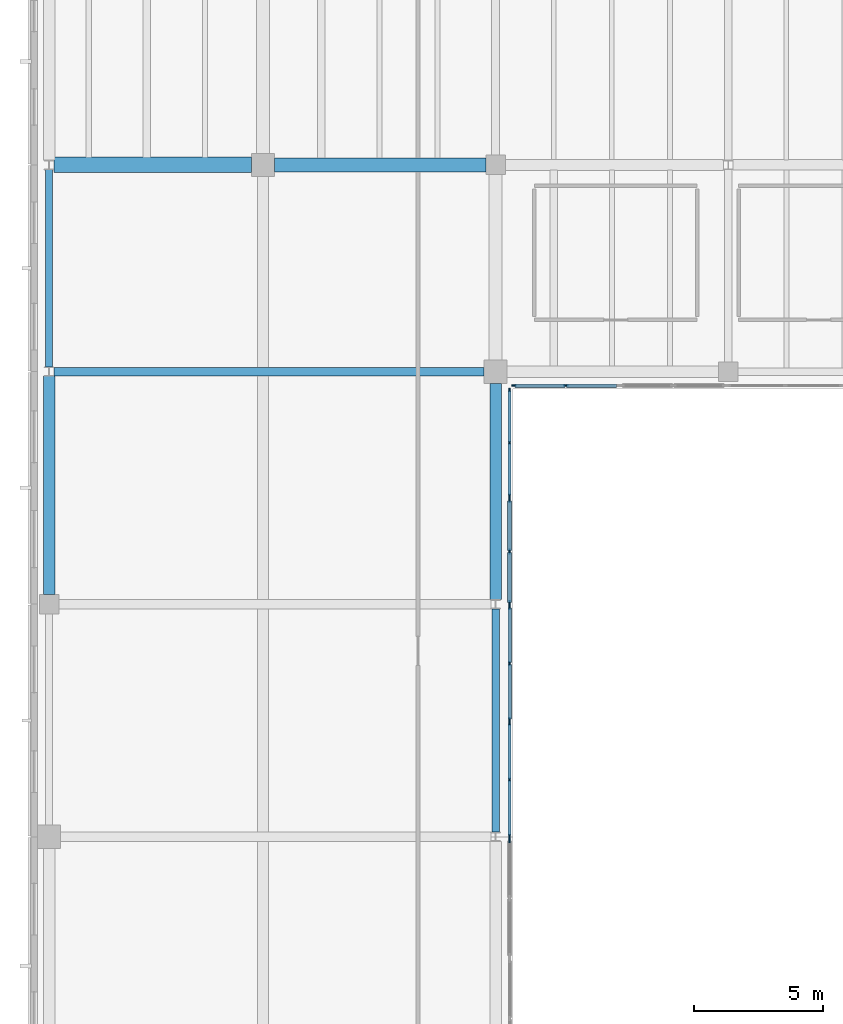
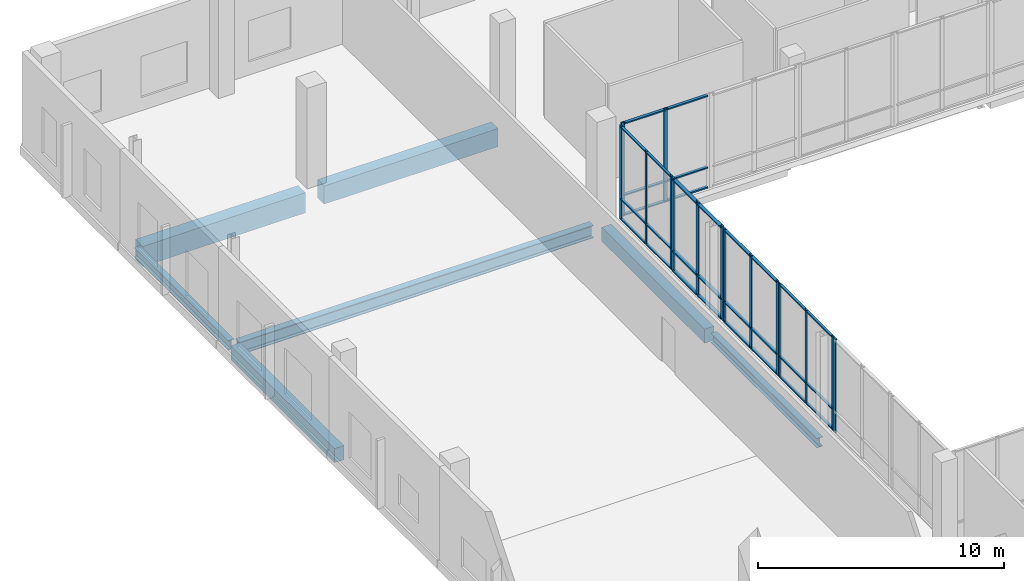
# One storey, part 33 of 81: 45 members, 7 beams, 6 elements without a shape of their own.
"""IFC4 building model written with IfcOpenShell, lengths in metres."""

from ifc_helpers import new_model, si_unit, direction, frame, origin, origin_2d, place, context, subcontext, project, spatial, rectangle, i_section, extrude, material, material_profile, profile_set, type_object, element, aggregate, save


model = new_model("IFC4")

# Units and contexts
model_context = context("Model", 3, precision=1e-05, world=origin(), true_north=direction((0.0, 1.0)))
body_context = subcontext(model_context, "Body", "Model", "MODEL_VIEW")
ifc_project = project(units=[si_unit("LENGTHUNIT", "METRE"), si_unit("AREAUNIT", "SQUARE_METRE"), si_unit("VOLUMEUNIT", "CUBIC_METRE"), si_unit("PLANEANGLEUNIT", "RADIAN"), si_unit("MASSUNIT", "GRAM", prefix="KILO")], contexts=[model_context])

# Site, building, storey
site_placement = place(None, origin())
site = spatial("IfcSite", under=ifc_project, at=site_placement, CompositionType="ELEMENT")
building_placement = place(site_placement, origin())
building = spatial("IfcBuilding", under=site, at=building_placement, Name="Trimount Lyric Opera House", CompositionType="ELEMENT")
storey_placement = place(building_placement, frame((0.0, 0.0, 5.0)))
storey = spatial("IfcBuildingStorey", under=building, at=storey_placement, Name="L01", CompositionType="ELEMENT", Elevation=5.0)

# Beams
ifc_material_1 = material(Name="Steel ASTM A992 Grade 50", Category="steel")
ifc_material_profile_1 = material_profile(ifc_material_1, i_section(OverallWidth=0.327880859375, OverallDepth=0.626953125, WebThickness=0.0166015625, FlangeThickness=0.027587890625, FilletRadius=0.01611328125, at=origin_2d()), Name="W24X146")
ifc_profile_set_1 = profile_set([ifc_material_profile_1], Name="Steel ASTM A992 Grade 50")
beam_type_1 = type_object("IfcBeamType", Name="B-10", PredefinedType="BEAM", material=ifc_profile_set_1)
beam_1_placement = place(storey_placement, frame((0.904052734375, 102.0, -0.593505859375), z_axis=(1.0, 0.0, 0.0), x_axis=(0.0, 1.0, 0.0)))
element("IfcBeam", 1, at=beam_1_placement, inside=storey, type_object=beam_type_1, Name="L01 girder X-0550", PredefinedType="BEAM", context=body_context, shape_type="SweptSolid", body=[
    extrude(i_section(OverallWidth=0.327880859375, OverallDepth=0.626953125, WebThickness=0.0166015625, FlangeThickness=0.027587890625, FilletRadius=0.01611328125, at=origin_2d()), origin(), (0.0, 0.0, 1.0), 16.64599609375),
])
ifc_material_2 = material(Name="Concrete C40/50", Category="concrete")
ifc_material_profile_2 = material_profile(ifc_material_2, rectangle(XDim=0.60009765625, YDim=1.0, at=origin_2d()), Name="RC600X1000")
ifc_profile_set_2 = profile_set([ifc_material_profile_2], Name="Concrete C40/50")
beam_type_2 = type_object("IfcBeamType", Name="B-13", PredefinedType="BEAM", material=ifc_profile_set_2)
beam_2_placement = place(storey_placement, frame((0.906494140625, 110.0, -0.780029296875), z_axis=(1.0, 0.0, 0.0), x_axis=(0.0, 1.0, 0.0)))
element("IfcBeam", 2, at=beam_2_placement, inside=storey, type_object=beam_type_2, Name="L01 girder X-0563", PredefinedType="BEAM", context=body_context, shape_type="SweptSolid", body=[
    extrude(rectangle(XDim=0.60009765625, YDim=1.0, at=origin_2d()), origin(), (0.0, 0.0, 1.0), 7.6435546875),
])
ifc_material_3 = material(Name="Concrete C40/50", Category="concrete")
ifc_material_profile_3 = material_profile(ifc_material_3, rectangle(XDim=0.550048828125, YDim=0.89990234375, at=origin_2d()), Name="RC550X900")
ifc_profile_set_3 = profile_set([ifc_material_profile_3], Name="Concrete C40/50")
beam_type_3 = type_object("IfcBeamType", Name="B-14", PredefinedType="BEAM", material=ifc_profile_set_3)
beam_3_placement = place(storey_placement, frame((9.449951171875, 110.0, -0.72998046875), z_axis=(1.0, 0.0, 0.0), x_axis=(0.0, 1.0, 0.0)))
element("IfcBeam", 3, at=beam_3_placement, inside=storey, type_object=beam_type_3, Name="L01 girder X-0564", PredefinedType="BEAM", context=body_context, shape_type="SweptSolid", body=[
    extrude(rectangle(XDim=0.550048828125, YDim=0.89990234375, at=origin_2d()), origin(), (0.0, 0.0, 1.0), 8.175048828125),
])

# Curtain wall, members
ifc_material_4 = material(Name="Thermally Broken Aluminium and Low-E Glass", Category="aluminium")
curtain_wall_type = type_object("IfcCurtainWallType", Name="CW-03", PredefinedType="NOTDEFINED", material=ifc_material_4)
curtain_wall_1_placement = place(storey_placement, origin())
curtain_wall_1 = element("IfcCurtainWall", 4, at=curtain_wall_1_placement, inside=storey, type_object=curtain_wall_type, Name="L01 curtain wall 162", PredefinedType="NOTDEFINED")
ifc_material_5 = material(Name="Anodised Aluminium 6063-T6", Category="aluminium")
ifc_material_profile_4 = material_profile(ifc_material_5, rectangle(XDim=0.070068359375, YDim=0.219970703125, at=origin_2d()), Name="ALU-MULL-70X220")
ifc_profile_set_4 = profile_set([ifc_material_profile_4], Name="Anodised Aluminium 6063-T6")
member_type_1 = type_object("IfcMemberType", Name="ML-01", PredefinedType="MULLION", material=ifc_profile_set_4)
member_1_placement = place(storey_placement, frame((18.5400390625, 97.034912109375, 0.0), z_axis=(0.0, 0.0, 1.0), x_axis=(1.0, 0.0, 0.0)))
member_1 = element("IfcMember", 5, at=member_1_placement, type_object=member_type_1, Name="CW-03 mullion 1", PredefinedType="MULLION", context=body_context, shape_type="SweptSolid", body=[
    extrude(rectangle(XDim=0.070068359375, YDim=0.219970703125, at=origin_2d()), origin(), (0.0, 0.0, 1.0), 4.679931640625),
])
member_2_placement = place(storey_placement, frame((18.5400390625, 95.034912109375, 0.0), z_axis=(0.0, 0.0, 1.0), x_axis=(1.0, 0.0, 0.0)))
member_2 = element("IfcMember", 6, at=member_2_placement, type_object=member_type_1, Name="CW-03 mullion 2", PredefinedType="MULLION", context=body_context, shape_type="SweptSolid", body=[
    extrude(rectangle(XDim=0.070068359375, YDim=0.219970703125, at=origin_2d()), origin(), (0.0, 0.0, 1.0), 4.679931640625),
])
member_3_placement = place(storey_placement, frame((18.5400390625, 93.034912109375, 0.0), z_axis=(0.0, 0.0, 1.0), x_axis=(1.0, 0.0, 0.0)))
member_3 = element("IfcMember", 7, at=member_3_placement, type_object=member_type_1, Name="CW-03 mullion 3", PredefinedType="MULLION", context=body_context, shape_type="SweptSolid", body=[
    extrude(rectangle(XDim=0.070068359375, YDim=0.219970703125, at=origin_2d()), origin(), (0.0, 0.0, 1.0), 4.679931640625),
])

# Curtain wall, member
curtain_wall_2_placement = place(storey_placement, origin())
curtain_wall_2 = element("IfcCurtainWall", 8, at=curtain_wall_2_placement, inside=storey, type_object=curtain_wall_type, Name="L01 curtain wall 165", PredefinedType="NOTDEFINED")
member_4_placement = place(storey_placement, frame((18.5400390625, 83.875, 0.0), z_axis=(0.0, 0.0, 1.0), x_axis=(1.0, 0.0, 0.0)))
member_4 = element("IfcMember", 9, at=member_4_placement, type_object=member_type_1, Name="CW-03 mullion 1", PredefinedType="MULLION", context=body_context, shape_type="SweptSolid", body=[
    extrude(rectangle(XDim=0.070068359375, YDim=0.219970703125, at=origin_2d()), origin(), (0.0, 0.0, 1.0), 4.679931640625),
])
aggregate(curtain_wall_2, [member_4])

# Curtain wall, members
curtain_wall_3_placement = place(storey_placement, origin())
curtain_wall_3 = element("IfcCurtainWall", 10, at=curtain_wall_3_placement, inside=storey, type_object=curtain_wall_type, Name="L01 curtain wall 160", PredefinedType="NOTDEFINED")
ifc_material_6 = material(Name="Anodised Aluminium 6063-T6", Category="aluminium")
ifc_material_profile_5 = material_profile(ifc_material_6, rectangle(XDim=0.06494140625, YDim=0.179931640625, at=origin_2d()), Name="ALU-MULL-65X180")
ifc_profile_set_5 = profile_set([ifc_material_profile_5], Name="Anodised Aluminium 6063-T6")
member_type_2 = type_object("IfcMemberType", Name="ML-02", PredefinedType="MULLION", material=ifc_profile_set_5)
member_5_placement = place(storey_placement, frame((20.715087890625, 101.4599609375, 0.0), z_axis=(0.0, 0.0, 1.0), x_axis=(0.0, -1.0, 0.0)))
member_5 = element("IfcMember", 11, at=member_5_placement, type_object=member_type_2, Name="CW-03 mullion 2", PredefinedType="MULLION", context=body_context, shape_type="SweptSolid", body=[
    extrude(rectangle(XDim=0.06494140625, YDim=0.179931640625, at=origin_2d()), origin(), (0.0, 0.0, 1.0), 4.679931640625),
])
member_6_placement = place(storey_placement, frame((18.71240234375, 101.4599609375, 0.0), z_axis=(0.0, 0.0, 1.0), x_axis=(0.0, -1.0, 0.0)))
member_6 = element("IfcMember", 12, at=member_6_placement, type_object=member_type_2, Name="CW-03 mullion 3", PredefinedType="MULLION", context=body_context, shape_type="SweptSolid", body=[
    extrude(rectangle(XDim=0.06494140625, YDim=0.179931640625, at=origin_2d()), origin(), (0.0, 0.0, 1.0), 4.679931640625),
])

curtain_wall_4_placement = place(storey_placement, origin())
curtain_wall_4 = element("IfcCurtainWall", 13, at=curtain_wall_4_placement, inside=storey, type_object=curtain_wall_type, Name="L01 curtain wall 163", PredefinedType="NOTDEFINED")
member_7_placement = place(storey_placement, frame((18.5400390625, 92.87744140625, 0.0), z_axis=(0.0, 0.0, 1.0), x_axis=(1.0, 0.0, 0.0)))
member_7 = element("IfcMember", 14, at=member_7_placement, type_object=member_type_2, Name="CW-03 mullion 1", PredefinedType="MULLION", context=body_context, shape_type="SweptSolid", body=[
    extrude(rectangle(XDim=0.06494140625, YDim=0.179931640625, at=origin_2d()), origin(), (0.0, 0.0, 1.0), 4.679931640625),
])
member_8_placement = place(storey_placement, frame((18.5400390625, 90.705078125, 0.0), z_axis=(0.0, 0.0, 1.0), x_axis=(1.0, 0.0, 0.0)))
member_8 = element("IfcMember", 15, at=member_8_placement, type_object=member_type_2, Name="CW-03 mullion 2", PredefinedType="MULLION", context=body_context, shape_type="SweptSolid", body=[
    extrude(rectangle(XDim=0.06494140625, YDim=0.179931640625, at=origin_2d()), origin(), (0.0, 0.0, 1.0), 4.679931640625),
])
member_9_placement = place(storey_placement, frame((18.5400390625, 88.532470703125, 0.0), z_axis=(0.0, 0.0, 1.0), x_axis=(1.0, 0.0, 0.0)))
member_9 = element("IfcMember", 16, at=member_9_placement, type_object=member_type_2, Name="CW-03 mullion 3", PredefinedType="MULLION", context=body_context, shape_type="SweptSolid", body=[
    extrude(rectangle(XDim=0.06494140625, YDim=0.179931640625, at=origin_2d()), origin(), (0.0, 0.0, 1.0), 4.679931640625),
])

curtain_wall_5_placement = place(storey_placement, origin())
curtain_wall_5 = element("IfcCurtainWall", 17, at=curtain_wall_5_placement, inside=storey, type_object=curtain_wall_type, Name="L01 curtain wall 161", PredefinedType="NOTDEFINED")
ifc_material_7 = material(Name="Anodised Aluminium 6063-T6", Category="aluminium")
ifc_material_profile_6 = material_profile(ifc_material_7, rectangle(XDim=0.06005859375, YDim=0.14990234375, at=origin_2d()), Name="ALU-MULL-60X150")
ifc_profile_set_6 = profile_set([ifc_material_profile_6], Name="Anodised Aluminium 6063-T6")
member_type_3 = type_object("IfcMemberType", Name="ML-03", PredefinedType="MULLION", material=ifc_profile_set_6)
member_10_placement = place(storey_placement, frame((18.5400390625, 101.2900390625, 0.0), z_axis=(0.0, 0.0, 1.0), x_axis=(1.0, 0.0, 0.0)))
member_10 = element("IfcMember", 18, at=member_10_placement, type_object=member_type_3, Name="CW-03 mullion 1", PredefinedType="MULLION", context=body_context, shape_type="SweptSolid", body=[
    extrude(rectangle(XDim=0.06005859375, YDim=0.14990234375, at=origin_2d()), origin(), (0.0, 0.0, 1.0), 4.679931640625),
])
member_11_placement = place(storey_placement, frame((18.5400390625, 99.239990234375, 0.0), z_axis=(0.0, 0.0, 1.0), x_axis=(1.0, 0.0, 0.0)))
member_11 = element("IfcMember", 19, at=member_11_placement, type_object=member_type_3, Name="CW-03 mullion 2", PredefinedType="MULLION", context=body_context, shape_type="SweptSolid", body=[
    extrude(rectangle(XDim=0.06005859375, YDim=0.14990234375, at=origin_2d()), origin(), (0.0, 0.0, 1.0), 4.679931640625),
])
member_12_placement = place(storey_placement, frame((18.5400390625, 97.18994140625, 0.0), z_axis=(0.0, 0.0, 1.0), x_axis=(1.0, 0.0, 0.0)))
member_12 = element("IfcMember", 20, at=member_12_placement, type_object=member_type_3, Name="CW-03 mullion 3", PredefinedType="MULLION", context=body_context, shape_type="SweptSolid", body=[
    extrude(rectangle(XDim=0.06005859375, YDim=0.14990234375, at=origin_2d()), origin(), (0.0, 0.0, 1.0), 4.679931640625),
])

curtain_wall_6_placement = place(storey_placement, origin())
curtain_wall_6 = element("IfcCurtainWall", 21, at=curtain_wall_6_placement, inside=storey, type_object=curtain_wall_type, Name="L01 curtain wall 164", PredefinedType="NOTDEFINED")
member_13_placement = place(storey_placement, frame((18.5400390625, 88.3798828125, 0.0), z_axis=(0.0, 0.0, 1.0), x_axis=(1.0, 0.0, 0.0)))
member_13 = element("IfcMember", 22, at=member_13_placement, type_object=member_type_3, Name="CW-03 mullion 1", PredefinedType="MULLION", context=body_context, shape_type="SweptSolid", body=[
    extrude(rectangle(XDim=0.06005859375, YDim=0.14990234375, at=origin_2d()), origin(), (0.0, 0.0, 1.0), 4.679931640625),
])
member_14_placement = place(storey_placement, frame((18.5400390625, 86.205078125, 0.0), z_axis=(0.0, 0.0, 1.0), x_axis=(1.0, 0.0, 0.0)))
member_14 = element("IfcMember", 23, at=member_14_placement, type_object=member_type_3, Name="CW-03 mullion 2", PredefinedType="MULLION", context=body_context, shape_type="SweptSolid", body=[
    extrude(rectangle(XDim=0.06005859375, YDim=0.14990234375, at=origin_2d()), origin(), (0.0, 0.0, 1.0), 4.679931640625),
])
member_15_placement = place(storey_placement, frame((18.5400390625, 84.030029296875, 0.0), z_axis=(0.0, 0.0, 1.0), x_axis=(1.0, 0.0, 0.0)))
member_15 = element("IfcMember", 24, at=member_15_placement, type_object=member_type_3, Name="CW-03 mullion 3", PredefinedType="MULLION", context=body_context, shape_type="SweptSolid", body=[
    extrude(rectangle(XDim=0.06005859375, YDim=0.14990234375, at=origin_2d()), origin(), (0.0, 0.0, 1.0), 4.679931640625),
])

# Beams
ifc_material_8 = material(Name="Steel ASTM A992 Grade 50", Category="steel")
ifc_material_profile_7 = material_profile(ifc_material_8, i_section(OverallWidth=0.281982421875, OverallDepth=0.467041015625, WebThickness=0.01220703125, FlangeThickness=0.01953125, FilletRadius=0.012939453125, at=origin_2d()), Name="W18X86")
ifc_profile_set_7 = profile_set([ifc_material_profile_7], Name="Steel ASTM A992 Grade 50")
beam_type_4 = type_object("IfcBeamType", Name="SP-01", PredefinedType="SPANDREL", material=ifc_profile_set_7)
beam_4_placement = place(storey_placement, frame((0.719970703125, 102.177978515625, -0.513427734375), z_axis=(0.0, 1.0, 0.0), x_axis=(-1.0, 0.0, 0.0)))
element("IfcBeam", 25, at=beam_4_placement, inside=storey, type_object=beam_type_4, Name="L01 girder Y-0602", PredefinedType="SPANDREL", context=body_context, shape_type="SweptSolid", body=[
    extrude(i_section(OverallWidth=0.281982421875, OverallDepth=0.467041015625, WebThickness=0.01220703125, FlangeThickness=0.01953125, FilletRadius=0.012939453125, at=origin_2d()), origin(), (0.0, 0.0, 1.0), 7.637939453125),
])
beam_5_placement = place(storey_placement, frame((18.0, 84.177978515625, -0.513427734375), z_axis=(0.0, 1.0, 0.0), x_axis=(-1.0, 0.0, 0.0)))
element("IfcBeam", 26, at=beam_5_placement, inside=storey, type_object=beam_type_4, Name="L01 girder Y-0615", PredefinedType="SPANDREL", context=body_context, shape_type="SweptSolid", body=[
    extrude(i_section(OverallWidth=0.281982421875, OverallDepth=0.467041015625, WebThickness=0.01220703125, FlangeThickness=0.01953125, FilletRadius=0.012939453125, at=origin_2d()), origin(), (0.0, 0.0, 1.0), 8.637939453125),
])
ifc_material_9 = material(Name="Concrete C40/50", Category="concrete")
ifc_material_profile_8 = material_profile(ifc_material_9, rectangle(XDim=0.449951171875, YDim=0.699951171875, at=origin_2d()), Name="RC450X700")
ifc_profile_set_8 = profile_set([ifc_material_profile_8], Name="Concrete C40/50")
beam_type_5 = type_object("IfcBeamType", Name="SP-02", PredefinedType="SPANDREL", material=ifc_profile_set_8)
beam_6_placement = place(storey_placement, frame((0.719970703125, 93.375, -0.6298828125), z_axis=(0.0, 1.0, 0.0), x_axis=(-1.0, 0.0, 0.0)))
element("IfcBeam", 27, at=beam_6_placement, inside=storey, type_object=beam_type_5, Name="L01 girder Y-0601", PredefinedType="SPANDREL", context=body_context, shape_type="SweptSolid", body=[
    extrude(rectangle(XDim=0.449951171875, YDim=0.699951171875, at=origin_2d()), origin(), (0.0, 0.0, 1.0), 8.447021484375),
])
beam_7_placement = place(storey_placement, frame((18.0, 93.18408203125, -0.6298828125), z_axis=(0.0, 1.0, 0.0), x_axis=(-1.0, 0.0, 0.0)))
element("IfcBeam", 28, at=beam_7_placement, inside=storey, type_object=beam_type_5, Name="L01 girder Y-0616", PredefinedType="SPANDREL", context=body_context, shape_type="SweptSolid", body=[
    extrude(rectangle(XDim=0.449951171875, YDim=0.699951171875, at=origin_2d()), origin(), (0.0, 0.0, 1.0), 8.365966796875),
])

# Member
ifc_material_10 = material(Name="Anodised Aluminium 6063-T6", Category="aluminium")
ifc_material_profile_9 = material_profile(ifc_material_10, rectangle(XDim=0.159912109375, YDim=0.070068359375, at=origin_2d()), Name="ALU-TRAN-70X160")
ifc_profile_set_9 = profile_set([ifc_material_profile_9], Name="Anodised Aluminium 6063-T6")
member_type_4 = type_object("IfcMemberType", Name="TR-01", PredefinedType="USERDEFINED", material=ifc_profile_set_9)
member_16_placement = place(storey_placement, frame((18.5400390625, 97.0, 0.080078125), z_axis=(0.0, -1.0, 0.0), x_axis=(1.0, 0.0, 0.0)))
member_16 = element("IfcMember", 29, at=member_16_placement, type_object=member_type_4, Name="CW-03 transom 1.1", ObjectType="TRANSOM", PredefinedType="USERDEFINED", context=body_context, shape_type="SweptSolid", body=[
    extrude(rectangle(XDim=0.159912109375, YDim=0.070068359375, at=origin_2d()), origin(), (0.0, 0.0, 1.0), 1.929931640625),
])

member_17_placement = place(storey_placement, frame((18.5400390625, 97.0, 1.050048828125), z_axis=(0.0, -1.0, 0.0), x_axis=(1.0, 0.0, 0.0)))
member_17 = element("IfcMember", 30, at=member_17_placement, type_object=member_type_4, Name="CW-03 transom 1.2", ObjectType="TRANSOM", PredefinedType="USERDEFINED", context=body_context, shape_type="SweptSolid", body=[
    extrude(rectangle(XDim=0.159912109375, YDim=0.070068359375, at=origin_2d()), origin(), (0.0, 0.0, 1.0), 1.929931640625),
])

member_18_placement = place(storey_placement, frame((18.5400390625, 97.0, 4.60009765625), z_axis=(0.0, -1.0, 0.0), x_axis=(1.0, 0.0, 0.0)))
member_18 = element("IfcMember", 31, at=member_18_placement, type_object=member_type_4, Name="CW-03 transom 1.3", ObjectType="TRANSOM", PredefinedType="USERDEFINED", context=body_context, shape_type="SweptSolid", body=[
    extrude(rectangle(XDim=0.159912109375, YDim=0.070068359375, at=origin_2d()), origin(), (0.0, 0.0, 1.0), 1.929931640625),
])

member_19_placement = place(storey_placement, frame((18.5400390625, 95.0, 0.080078125), z_axis=(0.0, -1.0, 0.0), x_axis=(1.0, 0.0, 0.0)))
member_19 = element("IfcMember", 32, at=member_19_placement, type_object=member_type_4, Name="CW-03 transom 2.1", ObjectType="TRANSOM", PredefinedType="USERDEFINED", context=body_context, shape_type="SweptSolid", body=[
    extrude(rectangle(XDim=0.159912109375, YDim=0.070068359375, at=origin_2d()), origin(), (0.0, 0.0, 1.0), 1.929931640625),
])

member_20_placement = place(storey_placement, frame((18.5400390625, 95.0, 1.050048828125), z_axis=(0.0, -1.0, 0.0), x_axis=(1.0, 0.0, 0.0)))
member_20 = element("IfcMember", 33, at=member_20_placement, type_object=member_type_4, Name="CW-03 transom 2.2", ObjectType="TRANSOM", PredefinedType="USERDEFINED", context=body_context, shape_type="SweptSolid", body=[
    extrude(rectangle(XDim=0.159912109375, YDim=0.070068359375, at=origin_2d()), origin(), (0.0, 0.0, 1.0), 1.929931640625),
])

member_21_placement = place(storey_placement, frame((18.5400390625, 95.0, 4.60009765625), z_axis=(0.0, -1.0, 0.0), x_axis=(1.0, 0.0, 0.0)))
member_21 = element("IfcMember", 34, at=member_21_placement, type_object=member_type_4, Name="CW-03 transom 2.3", ObjectType="TRANSOM", PredefinedType="USERDEFINED", context=body_context, shape_type="SweptSolid", body=[
    extrude(rectangle(XDim=0.159912109375, YDim=0.070068359375, at=origin_2d()), origin(), (0.0, 0.0, 1.0), 1.929931640625),
])

aggregate(curtain_wall_1, [member_1, member_2, member_3, member_16, member_17, member_18, member_19, member_20, member_21])

ifc_material_11 = material(Name="Anodised Aluminium 6063-T6", Category="aluminium")
ifc_material_profile_10 = material_profile(ifc_material_11, rectangle(XDim=0.135009765625, YDim=0.06494140625, at=origin_2d()), Name="ALU-TRAN-65X135")
ifc_profile_set_10 = profile_set([ifc_material_profile_10], Name="Anodised Aluminium 6063-T6")
member_type_5 = type_object("IfcMemberType", Name="TR-02", PredefinedType="USERDEFINED", material=ifc_profile_set_10)
member_22_placement = place(storey_placement, frame((22.68505859375, 101.4599609375, 0.0673828125), z_axis=(-1.0, 0.0, 0.0), x_axis=(0.0, -1.0, 0.0)))
member_22 = element("IfcMember", 35, at=member_22_placement, type_object=member_type_5, Name="CW-03 transom 1.1", ObjectType="TRANSOM", PredefinedType="USERDEFINED", context=body_context, shape_type="SweptSolid", body=[
    extrude(rectangle(XDim=0.135009765625, YDim=0.06494140625, at=origin_2d()), origin(), (0.0, 0.0, 1.0), 1.9375),
])

member_23_placement = place(storey_placement, frame((22.68505859375, 101.4599609375, 1.050048828125), z_axis=(-1.0, 0.0, 0.0), x_axis=(0.0, -1.0, 0.0)))
member_23 = element("IfcMember", 36, at=member_23_placement, type_object=member_type_5, Name="CW-03 transom 1.2", ObjectType="TRANSOM", PredefinedType="USERDEFINED", context=body_context, shape_type="SweptSolid", body=[
    extrude(rectangle(XDim=0.135009765625, YDim=0.06494140625, at=origin_2d()), origin(), (0.0, 0.0, 1.0), 1.9375),
])

member_24_placement = place(storey_placement, frame((22.68505859375, 101.4599609375, 4.612548828125), z_axis=(-1.0, 0.0, 0.0), x_axis=(0.0, -1.0, 0.0)))
member_24 = element("IfcMember", 37, at=member_24_placement, type_object=member_type_5, Name="CW-03 transom 1.3", ObjectType="TRANSOM", PredefinedType="USERDEFINED", context=body_context, shape_type="SweptSolid", body=[
    extrude(rectangle(XDim=0.135009765625, YDim=0.06494140625, at=origin_2d()), origin(), (0.0, 0.0, 1.0), 1.9375),
])

member_25_placement = place(storey_placement, frame((20.6826171875, 101.4599609375, 0.0673828125), z_axis=(-1.0, 0.0, 0.0), x_axis=(0.0, -1.0, 0.0)))
member_25 = element("IfcMember", 38, at=member_25_placement, type_object=member_type_5, Name="CW-03 transom 2.1", ObjectType="TRANSOM", PredefinedType="USERDEFINED", context=body_context, shape_type="SweptSolid", body=[
    extrude(rectangle(XDim=0.135009765625, YDim=0.06494140625, at=origin_2d()), origin(), (0.0, 0.0, 1.0), 1.9375),
])

member_26_placement = place(storey_placement, frame((20.6826171875, 101.4599609375, 1.050048828125), z_axis=(-1.0, 0.0, 0.0), x_axis=(0.0, -1.0, 0.0)))
member_26 = element("IfcMember", 39, at=member_26_placement, type_object=member_type_5, Name="CW-03 transom 2.2", ObjectType="TRANSOM", PredefinedType="USERDEFINED", context=body_context, shape_type="SweptSolid", body=[
    extrude(rectangle(XDim=0.135009765625, YDim=0.06494140625, at=origin_2d()), origin(), (0.0, 0.0, 1.0), 1.9375),
])

member_27_placement = place(storey_placement, frame((20.6826171875, 101.4599609375, 4.612548828125), z_axis=(-1.0, 0.0, 0.0), x_axis=(0.0, -1.0, 0.0)))
member_27 = element("IfcMember", 40, at=member_27_placement, type_object=member_type_5, Name="CW-03 transom 2.3", ObjectType="TRANSOM", PredefinedType="USERDEFINED", context=body_context, shape_type="SweptSolid", body=[
    extrude(rectangle(XDim=0.135009765625, YDim=0.06494140625, at=origin_2d()), origin(), (0.0, 0.0, 1.0), 1.9375),
])

aggregate(curtain_wall_3, [member_5, member_6, member_22, member_23, member_24, member_25, member_26, member_27])

member_28_placement = place(storey_placement, frame((18.5400390625, 92.844970703125, 0.0673828125), z_axis=(0.0, -1.0, 0.0), x_axis=(1.0, 0.0, 0.0)))
member_28 = element("IfcMember", 41, at=member_28_placement, type_object=member_type_5, Name="CW-03 transom 1.1", ObjectType="TRANSOM", PredefinedType="USERDEFINED", context=body_context, shape_type="SweptSolid", body=[
    extrude(rectangle(XDim=0.135009765625, YDim=0.06494140625, at=origin_2d()), origin(), (0.0, 0.0, 1.0), 2.107421875),
])

member_29_placement = place(storey_placement, frame((18.5400390625, 92.844970703125, 1.050048828125), z_axis=(0.0, -1.0, 0.0), x_axis=(1.0, 0.0, 0.0)))
member_29 = element("IfcMember", 42, at=member_29_placement, type_object=member_type_5, Name="CW-03 transom 1.2", ObjectType="TRANSOM", PredefinedType="USERDEFINED", context=body_context, shape_type="SweptSolid", body=[
    extrude(rectangle(XDim=0.135009765625, YDim=0.06494140625, at=origin_2d()), origin(), (0.0, 0.0, 1.0), 2.107421875),
])

member_30_placement = place(storey_placement, frame((18.5400390625, 92.844970703125, 4.612548828125), z_axis=(0.0, -1.0, 0.0), x_axis=(1.0, 0.0, 0.0)))
member_30 = element("IfcMember", 43, at=member_30_placement, type_object=member_type_5, Name="CW-03 transom 1.3", ObjectType="TRANSOM", PredefinedType="USERDEFINED", context=body_context, shape_type="SweptSolid", body=[
    extrude(rectangle(XDim=0.135009765625, YDim=0.06494140625, at=origin_2d()), origin(), (0.0, 0.0, 1.0), 2.107421875),
])

member_31_placement = place(storey_placement, frame((18.5400390625, 90.672607421875, 0.0673828125), z_axis=(0.0, -1.0, 0.0), x_axis=(1.0, 0.0, 0.0)))
member_31 = element("IfcMember", 44, at=member_31_placement, type_object=member_type_5, Name="CW-03 transom 2.1", ObjectType="TRANSOM", PredefinedType="USERDEFINED", context=body_context, shape_type="SweptSolid", body=[
    extrude(rectangle(XDim=0.135009765625, YDim=0.06494140625, at=origin_2d()), origin(), (0.0, 0.0, 1.0), 2.107666015625),
])

member_32_placement = place(storey_placement, frame((18.5400390625, 90.672607421875, 1.050048828125), z_axis=(0.0, -1.0, 0.0), x_axis=(1.0, 0.0, 0.0)))
member_32 = element("IfcMember", 45, at=member_32_placement, type_object=member_type_5, Name="CW-03 transom 2.2", ObjectType="TRANSOM", PredefinedType="USERDEFINED", context=body_context, shape_type="SweptSolid", body=[
    extrude(rectangle(XDim=0.135009765625, YDim=0.06494140625, at=origin_2d()), origin(), (0.0, 0.0, 1.0), 2.107666015625),
])

member_33_placement = place(storey_placement, frame((18.5400390625, 90.672607421875, 4.612548828125), z_axis=(0.0, -1.0, 0.0), x_axis=(1.0, 0.0, 0.0)))
member_33 = element("IfcMember", 46, at=member_33_placement, type_object=member_type_5, Name="CW-03 transom 2.3", ObjectType="TRANSOM", PredefinedType="USERDEFINED", context=body_context, shape_type="SweptSolid", body=[
    extrude(rectangle(XDim=0.135009765625, YDim=0.06494140625, at=origin_2d()), origin(), (0.0, 0.0, 1.0), 2.107666015625),
])

aggregate(curtain_wall_4, [member_7, member_8, member_9, member_28, member_29, member_30, member_31, member_32, member_33])

ifc_material_12 = material(Name="Anodised Aluminium 6063-T6", Category="aluminium")
ifc_material_profile_11 = material_profile(ifc_material_12, rectangle(XDim=0.114990234375, YDim=0.06005859375, at=origin_2d()), Name="ALU-TRAN-60X115")
ifc_profile_set_11 = profile_set([ifc_material_profile_11], Name="Anodised Aluminium 6063-T6")
member_type_6 = type_object("IfcMemberType", Name="TR-03", PredefinedType="USERDEFINED", material=ifc_profile_set_11)
member_34_placement = place(storey_placement, frame((18.5400390625, 101.260009765625, 0.0576171875), z_axis=(0.0, -1.0, 0.0), x_axis=(1.0, 0.0, 0.0)))
member_34 = element("IfcMember", 47, at=member_34_placement, type_object=member_type_6, Name="CW-03 transom 1.1", ObjectType="TRANSOM", PredefinedType="USERDEFINED", context=body_context, shape_type="SweptSolid", body=[
    extrude(rectangle(XDim=0.114990234375, YDim=0.06005859375, at=origin_2d()), origin(), (0.0, 0.0, 1.0), 1.989990234375),
])

member_35_placement = place(storey_placement, frame((18.5400390625, 101.260009765625, 1.050048828125), z_axis=(0.0, -1.0, 0.0), x_axis=(1.0, 0.0, 0.0)))
member_35 = element("IfcMember", 48, at=member_35_placement, type_object=member_type_6, Name="CW-03 transom 1.2", ObjectType="TRANSOM", PredefinedType="USERDEFINED", context=body_context, shape_type="SweptSolid", body=[
    extrude(rectangle(XDim=0.114990234375, YDim=0.06005859375, at=origin_2d()), origin(), (0.0, 0.0, 1.0), 1.989990234375),
])

member_36_placement = place(storey_placement, frame((18.5400390625, 101.260009765625, 4.62255859375), z_axis=(0.0, -1.0, 0.0), x_axis=(1.0, 0.0, 0.0)))
member_36 = element("IfcMember", 49, at=member_36_placement, type_object=member_type_6, Name="CW-03 transom 1.3", ObjectType="TRANSOM", PredefinedType="USERDEFINED", context=body_context, shape_type="SweptSolid", body=[
    extrude(rectangle(XDim=0.114990234375, YDim=0.06005859375, at=origin_2d()), origin(), (0.0, 0.0, 1.0), 1.989990234375),
])

member_37_placement = place(storey_placement, frame((18.5400390625, 99.2099609375, 0.0576171875), z_axis=(0.0, -1.0, 0.0), x_axis=(1.0, 0.0, 0.0)))
member_37 = element("IfcMember", 50, at=member_37_placement, type_object=member_type_6, Name="CW-03 transom 2.1", ObjectType="TRANSOM", PredefinedType="USERDEFINED", context=body_context, shape_type="SweptSolid", body=[
    extrude(rectangle(XDim=0.114990234375, YDim=0.06005859375, at=origin_2d()), origin(), (0.0, 0.0, 1.0), 1.989990234375),
])

member_38_placement = place(storey_placement, frame((18.5400390625, 99.2099609375, 1.050048828125), z_axis=(0.0, -1.0, 0.0), x_axis=(1.0, 0.0, 0.0)))
member_38 = element("IfcMember", 51, at=member_38_placement, type_object=member_type_6, Name="CW-03 transom 2.2", ObjectType="TRANSOM", PredefinedType="USERDEFINED", context=body_context, shape_type="SweptSolid", body=[
    extrude(rectangle(XDim=0.114990234375, YDim=0.06005859375, at=origin_2d()), origin(), (0.0, 0.0, 1.0), 1.989990234375),
])

member_39_placement = place(storey_placement, frame((18.5400390625, 99.2099609375, 4.62255859375), z_axis=(0.0, -1.0, 0.0), x_axis=(1.0, 0.0, 0.0)))
member_39 = element("IfcMember", 52, at=member_39_placement, type_object=member_type_6, Name="CW-03 transom 2.3", ObjectType="TRANSOM", PredefinedType="USERDEFINED", context=body_context, shape_type="SweptSolid", body=[
    extrude(rectangle(XDim=0.114990234375, YDim=0.06005859375, at=origin_2d()), origin(), (0.0, 0.0, 1.0), 1.989990234375),
])

aggregate(curtain_wall_5, [member_10, member_11, member_12, member_34, member_35, member_36, member_37, member_38, member_39])

member_40_placement = place(storey_placement, frame((18.5400390625, 88.35009765625, 0.0576171875), z_axis=(0.0, -1.0, 0.0), x_axis=(1.0, 0.0, 0.0)))
member_40 = element("IfcMember", 53, at=member_40_placement, type_object=member_type_6, Name="CW-03 transom 1.1", ObjectType="TRANSOM", PredefinedType="USERDEFINED", context=body_context, shape_type="SweptSolid", body=[
    extrude(rectangle(XDim=0.114990234375, YDim=0.06005859375, at=origin_2d()), origin(), (0.0, 0.0, 1.0), 2.114990234375),
])

member_41_placement = place(storey_placement, frame((18.5400390625, 88.35009765625, 1.050048828125), z_axis=(0.0, -1.0, 0.0), x_axis=(1.0, 0.0, 0.0)))
member_41 = element("IfcMember", 54, at=member_41_placement, type_object=member_type_6, Name="CW-03 transom 1.2", ObjectType="TRANSOM", PredefinedType="USERDEFINED", context=body_context, shape_type="SweptSolid", body=[
    extrude(rectangle(XDim=0.114990234375, YDim=0.06005859375, at=origin_2d()), origin(), (0.0, 0.0, 1.0), 2.114990234375),
])

member_42_placement = place(storey_placement, frame((18.5400390625, 88.35009765625, 4.62255859375), z_axis=(0.0, -1.0, 0.0), x_axis=(1.0, 0.0, 0.0)))
member_42 = element("IfcMember", 55, at=member_42_placement, type_object=member_type_6, Name="CW-03 transom 1.3", ObjectType="TRANSOM", PredefinedType="USERDEFINED", context=body_context, shape_type="SweptSolid", body=[
    extrude(rectangle(XDim=0.114990234375, YDim=0.06005859375, at=origin_2d()), origin(), (0.0, 0.0, 1.0), 2.114990234375),
])

member_43_placement = place(storey_placement, frame((18.5400390625, 86.175048828125, 0.0576171875), z_axis=(0.0, -1.0, 0.0), x_axis=(1.0, 0.0, 0.0)))
member_43 = element("IfcMember", 56, at=member_43_placement, type_object=member_type_6, Name="CW-03 transom 2.1", ObjectType="TRANSOM", PredefinedType="USERDEFINED", context=body_context, shape_type="SweptSolid", body=[
    extrude(rectangle(XDim=0.114990234375, YDim=0.06005859375, at=origin_2d()), origin(), (0.0, 0.0, 1.0), 2.114990234375),
])

member_44_placement = place(storey_placement, frame((18.5400390625, 86.175048828125, 1.050048828125), z_axis=(0.0, -1.0, 0.0), x_axis=(1.0, 0.0, 0.0)))
member_44 = element("IfcMember", 57, at=member_44_placement, type_object=member_type_6, Name="CW-03 transom 2.2", ObjectType="TRANSOM", PredefinedType="USERDEFINED", context=body_context, shape_type="SweptSolid", body=[
    extrude(rectangle(XDim=0.114990234375, YDim=0.06005859375, at=origin_2d()), origin(), (0.0, 0.0, 1.0), 2.114990234375),
])

member_45_placement = place(storey_placement, frame((18.5400390625, 86.175048828125, 4.62255859375), z_axis=(0.0, -1.0, 0.0), x_axis=(1.0, 0.0, 0.0)))
member_45 = element("IfcMember", 58, at=member_45_placement, type_object=member_type_6, Name="CW-03 transom 2.3", ObjectType="TRANSOM", PredefinedType="USERDEFINED", context=body_context, shape_type="SweptSolid", body=[
    extrude(rectangle(XDim=0.114990234375, YDim=0.06005859375, at=origin_2d()), origin(), (0.0, 0.0, 1.0), 2.114990234375),
])

aggregate(curtain_wall_6, [member_13, member_14, member_15, member_40, member_41, member_42, member_43, member_44, member_45])

save(model, "model.ifc")
